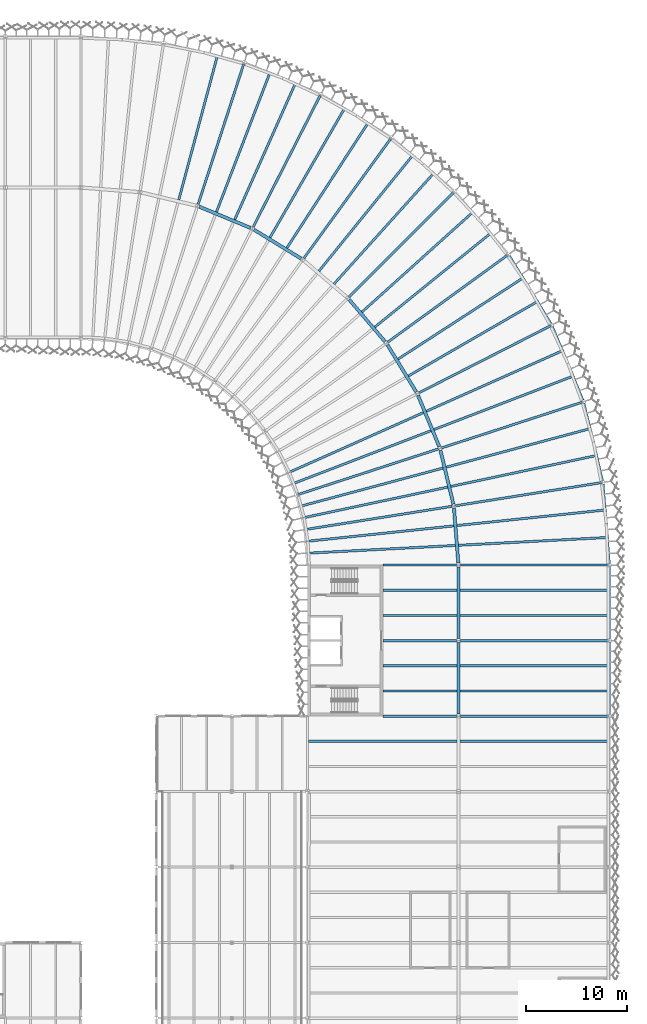
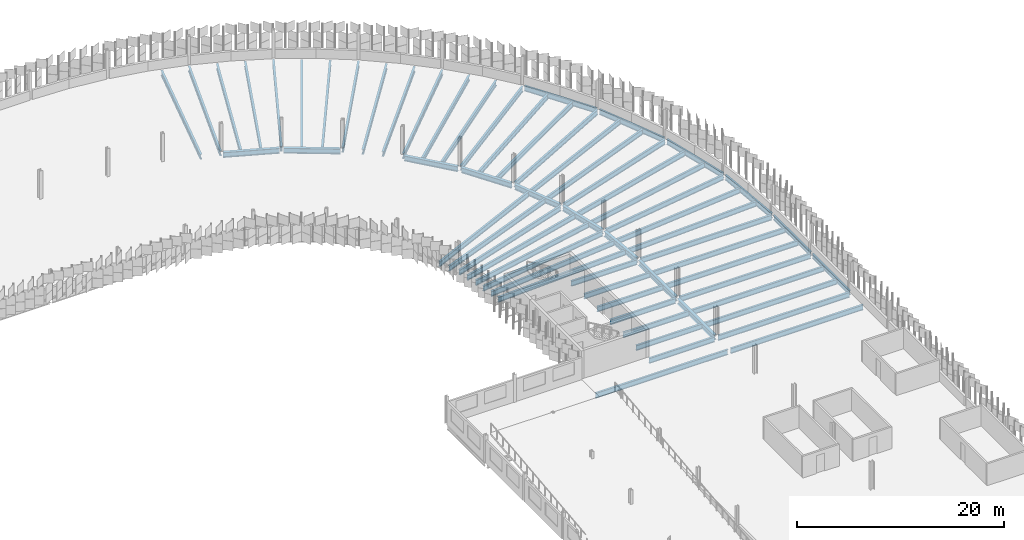
# One storey, part 38 of 198: 64 beams.
"""IFC4 building model written with IfcOpenShell, lengths in metres."""

import ifcopenshell
import ifcopenshell.guid

model = None  # the IFC model being written
_history = None  # IfcOwnerHistory: only IFC2X3 demands one
_inside = {}  # id of a spatial element -> (the spatial element, [elements in it])
_under = {}  # id of a project, library or spatial element -> (it, [spatial elements below it])
_declared = {}  # id of a project -> (the project, [libraries it declares])
_typed = {}  # id of a type object -> (the type object, [elements of that type])
_made_of = {}  # id of a material, layer set ... -> (it, [elements and type objects made of it])


def new_model(schema):
    """Start an empty IFC model of exactly this schema.

    Asked for "IFC4X3", IfcOpenShell would pick the latest addendum, in which some entities
    have other attributes; the version numbers below select the first issue.
    IFC2X3 requires an IfcOwnerHistory on every rooted entity: one is made here for all.
    """
    global model, _history
    if schema == "IFC4X3":
        model = ifcopenshell.file(schema_version=(4, 3, 0, 0))
    else:
        model = ifcopenshell.file(schema=schema)
    _inside.clear()
    _under.clear()
    _declared.clear()
    _typed.clear()
    _made_of.clear()
    _history = None
    if model.schema == "IFC2X3":
        org = make("IfcOrganization", Name="unknown")
        user = make(
            "IfcPersonAndOrganization",
            ThePerson=make("IfcPerson", FamilyName="unknown"),
            TheOrganization=org,
        )
        app = make(
            "IfcApplication",
            ApplicationDeveloper=org,
            Version="unknown",
            ApplicationFullName="unknown",
            ApplicationIdentifier="unknown",
        )
        _history = make(
            "IfcOwnerHistory",
            OwningUser=user,
            OwningApplication=app,
            ChangeAction="ADDED",
            CreationDate=0,
        )
    return model


def make(cls, **values):
    """One entity of the class cls with the attributes given. An attribute that is None is left unset."""
    return model.create_entity(
        cls, **{name: value for name, value in values.items() if value is not None}
    )


def rooted(cls, **values):
    """An entity with a GlobalId (a new one), such as an element, a storey or a relation."""
    return make(cls, GlobalId=ifcopenshell.guid.new(), OwnerHistory=_history, **values)


def si_unit(unit_type, name, prefix=None):
    """IfcSIUnit, for example si_unit("LENGTHUNIT", "METRE", prefix="MILLI")."""
    return make("IfcSIUnit", UnitType=unit_type, Prefix=prefix, Name=name)


def assignment(units):
    """IfcUnitAssignment: the units of a project."""
    return None if units is None else make("IfcUnitAssignment", Units=units)


def point(xyz):
    """IfcCartesianPoint."""
    return None if xyz is None else make("IfcCartesianPoint", Coordinates=xyz)


def direction(xyz):
    """IfcDirection."""
    return None if xyz is None else make("IfcDirection", DirectionRatios=xyz)


def frame(location, z_axis=None, x_axis=None):
    """IfcAxis2Placement3D, a coordinate frame: its origin and axes. An axis left out is left unset."""
    return make(
        "IfcAxis2Placement3D",
        Location=point(location),
        Axis=direction(z_axis),
        RefDirection=direction(x_axis),
    )


def frame_2d(location, x_axis=None):
    """IfcAxis2Placement2D, a coordinate frame in the plane: its origin and x axis."""
    return make(
        "IfcAxis2Placement2D", Location=point(location), RefDirection=direction(x_axis)
    )


def origin():
    """The frame at (0, 0, 0) with its axes left unset."""
    return frame((0.0, 0.0, 0.0))


def origin_2d():
    """The frame at (0, 0) in the plane with its x axis left unset."""
    return frame_2d((0.0, 0.0))


def place(relative_to, where):
    """IfcLocalPlacement: puts the frame where relative to a parent placement (None: the world)."""
    return make(
        "IfcLocalPlacement", PlacementRelTo=relative_to, RelativePlacement=where
    )


def context(
    kind, dimensions, precision=None, world=None, true_north=None, identifier=None
):
    """IfcGeometricRepresentationContext, for example the 3D "Model" context."""
    return make(
        "IfcGeometricRepresentationContext",
        ContextIdentifier=identifier,
        ContextType=kind,
        CoordinateSpaceDimension=dimensions,
        Precision=precision,
        WorldCoordinateSystem=world,
        TrueNorth=true_north,
    )


def subcontext(parent, identifier, kind, view, scale=None):
    """IfcGeometricRepresentationSubContext, for example "Body" below "Model"."""
    return make(
        "IfcGeometricRepresentationSubContext",
        ContextIdentifier=identifier,
        ContextType=kind,
        ParentContext=parent,
        TargetScale=scale,
        TargetView=view,
    )


def project(units=None, contexts=None):
    """IfcProject with its units and contexts."""
    return rooted(
        "IfcProject",
        Name="project",
        RepresentationContexts=contexts,
        UnitsInContext=assignment(units),
    )


def spatial(cls, under=None, at=None, **own):
    """A site, building, storey or space (cls), placed at a placement, below another one or the project."""
    s = rooted(cls, ObjectPlacement=at, **own)
    if under is not None:
        _under.setdefault(under.id(), (under, []))[1].append(s)
    return s


def profile(cls, at=None, kind="AREA", **sizes):
    """A parametric profile (cls). Its sizes go by their IFC names, for example OverallWidth=200.0."""
    return make(cls, ProfileType=kind, Position=at, **sizes)


def i_section(**sizes):
    """IfcIShapeProfileDef."""
    return profile("IfcIShapeProfileDef", **sizes)


def extrude(swept, where, along, depth):
    """IfcExtrudedAreaSolid: the profile swept, set in the frame where, extruded along a direction by depth."""
    return make(
        "IfcExtrudedAreaSolid",
        SweptArea=swept,
        Position=where,
        ExtrudedDirection=direction(along),
        Depth=depth,
    )


def shape(context_of_items, identifier, shape_type, items):
    """IfcShapeRepresentation: the items that make up one representation, for example the "Body"."""
    return make(
        "IfcShapeRepresentation",
        ContextOfItems=context_of_items,
        RepresentationIdentifier=identifier,
        RepresentationType=shape_type,
        Items=items,
    )


def material(Name=None, Category=None):
    """IfcMaterial."""
    return make("IfcMaterial", Name=Name, Category=Category)


def material_profile(
    of_material, cross_section, Name=None, Category=None, Priority=None
):
    """IfcMaterialProfile: a cross section and its material."""
    return make(
        "IfcMaterialProfile",
        Name=Name,
        Material=of_material,
        Profile=cross_section,
        Priority=Priority,
        Category=Category,
    )


def profile_set(profiles, Name=None, composite=None):
    """IfcMaterialProfileSet."""
    return make(
        "IfcMaterialProfileSet",
        Name=Name,
        MaterialProfiles=profiles,
        CompositeProfile=composite,
    )


def made_of(thing, what):
    """Note that an element or type object is made of a material, layer set ...; save() writes the relation."""
    if what is not None:
        _made_of.setdefault(what.id(), (what, []))[1].append(thing)
    return thing


def type_object(cls, material=None, **own):
    """A type object (cls), such as IfcWallType, which elements share."""
    return made_of(rooted(cls, **own), material)


def element(
    cls,
    number,
    at=None,
    inside=None,
    cuts=None,
    type_object=None,
    material=None,
    context=None,
    identifier="Body",
    shape_type=None,
    held_by="IfcProductDefinitionShape",
    body=None,
    shapes=None,
    **own,
):
    """One element of the class cls, such as IfcWall. Its Tag is "e" and its number.

    at: its placement. inside: the storey or other place that contains it. cuts: it is an
    opening in that element (IfcRelVoidsElement). A single representation is given by context,
    identifier, shape_type and body (its items); several are given by shapes. held_by: the class
    of the entity that holds the representations. save() writes the other relations.
    """
    e = rooted(cls, Tag="e%d" % number, ObjectPlacement=at, **own)
    if body is not None:
        shapes = [shape(context, identifier, shape_type, body)]
    if shapes is not None:
        e.Representation = make(held_by, Representations=shapes)
    if inside is not None:
        _inside.setdefault(inside.id(), (inside, []))[1].append(e)
    if cuts is not None:
        rooted(
            "IfcRelVoidsElement", RelatingBuildingElement=cuts, RelatedOpeningElement=e
        )
    if type_object is not None:
        _typed.setdefault(type_object.id(), (type_object, []))[1].append(e)
    return made_of(e, material)


def aggregate(whole, parts):
    """IfcRelAggregates: a whole, such as a stair, and the parts it consists of."""
    return rooted("IfcRelAggregates", RelatingObject=whole, RelatedObjects=parts)


def save(model, path):
    """Write the relations noted so far, then the file.

    IfcRelAggregates (storeys below a building ...), IfcRelContainedInSpatialStructure (elements
    in a storey), IfcRelDefinesByType, IfcRelAssociatesMaterial and IfcRelDeclares: one each for
    every whole, place, type object, material and project.
    """
    for whole, parts in _under.values():
        aggregate(whole, parts)
    for where, things in _inside.values():
        rooted(
            "IfcRelContainedInSpatialStructure",
            RelatedElements=things,
            RelatingStructure=where,
        )
    for kind, things in _typed.values():
        rooted("IfcRelDefinesByType", RelatedObjects=things, RelatingType=kind)
    for what, things in _made_of.values():
        rooted("IfcRelAssociatesMaterial", RelatedObjects=things, RelatingMaterial=what)
    for by, libraries in _declared.values():
        rooted("IfcRelDeclares", RelatingContext=by, RelatedDefinitions=libraries)
    model.write(path)


model = new_model("IFC4")

# Units and contexts
model_context = context("Model", 3, precision=1e-05, world=origin(), true_north=direction((0.0, 1.0)))
body_context = subcontext(model_context, "Body", "Model", "MODEL_VIEW")
ifc_project = project(units=[si_unit("LENGTHUNIT", "METRE"), si_unit("AREAUNIT", "SQUARE_METRE"), si_unit("VOLUMEUNIT", "CUBIC_METRE"), si_unit("PLANEANGLEUNIT", "RADIAN"), si_unit("MASSUNIT", "GRAM", prefix="KILO")], contexts=[model_context])

# Site, building, storey
site_placement = place(None, origin())
site = spatial("IfcSite", under=ifc_project, at=site_placement, CompositionType="ELEMENT")
building_placement = place(site_placement, origin())
building = spatial("IfcBuilding", under=site, at=building_placement, Name="Parallax Yard Mobility Hub", CompositionType="ELEMENT")
storey_placement = place(building_placement, frame((0.0, 0.0, 6.60009765625)))
storey = spatial("IfcBuildingStorey", under=building, at=storey_placement, Name="L02", CompositionType="ELEMENT", Elevation=6.60009765625)

# Beams
ifc_material = material(Name="Steel ASTM A992", Category="steel")
ifc_material_profile_1 = material_profile(ifc_material, i_section(OverallWidth=0.208984375, OverallDepth=0.532958984375, WebThickness=0.01025390625, FlangeThickness=0.015625, FilletRadius=0.0126953125, at=origin_2d()), Name="W530x92")
ifc_profile_set_1 = profile_set([ifc_material_profile_1], Name="Steel ASTM A992")
beam_type_1 = type_object("IfcBeamType", Name="W530x92 edge beam", PredefinedType="SPANDREL", material=ifc_profile_set_1)
for number, where, z_axis, x_axis, name in (
    (1, (225.0, 75.152587890625, -0.406494140625), (0.0, 1.0, 0.0), (-1.0, 0.0, 0.0), "Edge beam SB5 level L02, line 31 of ramped parking decks, span 7"),
    (2, (225.0, 82.652587890625, -0.406494140625), (0.0, 1.0, 0.0), (-1.0, 0.0, 0.0), "Edge beam SB5 level L02, line 31 of ramped parking decks, span 8"),
):
    element("IfcBeam", number, at=place(storey_placement, frame(where, z_axis=z_axis, x_axis=x_axis)), inside=storey, type_object=beam_type_1, Name=name, PredefinedType="SPANDREL", context=body_context, shape_type="SweptSolid", body=[
        extrude(i_section(OverallWidth=0.208984375, OverallDepth=0.532958984375, WebThickness=0.01025390625, FlangeThickness=0.015625, FilletRadius=0.0126953125, at=origin_2d()), origin(), (0.0, 0.0, 1.0), 7.19482421875),
    ])
ifc_material_profile_2 = material_profile(ifc_material, i_section(OverallWidth=0.22802734375, OverallDepth=0.60205078125, WebThickness=0.010498046875, FlangeThickness=0.014892578125, FilletRadius=0.0126953125, at=origin_2d()), Name="W610x101")
ifc_profile_set_2 = profile_set([ifc_material_profile_2], Name="Steel ASTM A992")
beam_type_2 = type_object("IfcBeamType", Name="W610x101 secondary beam", PredefinedType="JOIST", material=ifc_profile_set_2)
beam_1_placement = place(storey_placement, frame((202.5, 77.5, -0.441162109375), z_axis=(1.0, 0.0, 0.0), x_axis=(0.0, 1.0, 0.0)))
element("IfcBeam", 3, at=beam_1_placement, inside=storey, type_object=beam_type_2, Name="Secondary beam B3 level L02, 2.5 m north of line L of ramped parking decks, span 1", PredefinedType="JOIST", context=body_context, shape_type="SweptSolid", body=[
    extrude(i_section(OverallWidth=0.22802734375, OverallDepth=0.60205078125, WebThickness=0.010498046875, FlangeThickness=0.014892578125, FilletRadius=0.0126953125, at=origin_2d()), origin(), (0.0, 0.0, 1.0), 7.33740234375),
])
beam_2_placement = place(storey_placement, frame((210.16259765625, 77.5, -0.441162109375), z_axis=(1.0, 0.0, 0.0), x_axis=(0.0, 1.0, 0.0)))
element("IfcBeam", 4, at=beam_2_placement, inside=storey, type_object=beam_type_2, Name="Secondary beam B3 level L02, 2.5 m north of line L of ramped parking decks, span 2", PredefinedType="JOIST", context=body_context, shape_type="SweptSolid", body=[
    extrude(i_section(OverallWidth=0.22802734375, OverallDepth=0.60205078125, WebThickness=0.010498046875, FlangeThickness=0.014892578125, FilletRadius=0.0126953125, at=origin_2d()), origin(), (0.0, 0.0, 1.0), 14.73291015625),
])
beam_3_placement = place(storey_placement, frame((202.5, 85.0, -0.441162109375), z_axis=(1.0, 0.0, 0.0), x_axis=(0.0, 1.0, 0.0)))
element("IfcBeam", 5, at=beam_3_placement, inside=storey, type_object=beam_type_2, Name="Secondary beam B3 level L02, 2.5 m north of line M of ramped parking decks, span 1", PredefinedType="JOIST", context=body_context, shape_type="SweptSolid", body=[
    extrude(i_section(OverallWidth=0.22802734375, OverallDepth=0.60205078125, WebThickness=0.010498046875, FlangeThickness=0.014892578125, FilletRadius=0.0126953125, at=origin_2d()), origin(), (0.0, 0.0, 1.0), 7.33740234375),
])
for number, where, z_axis, x_axis, name in (
    (6, (210.16259765625, 85.0, -0.441162109375), (1.0, 0.0, 0.0), (0.0, 1.0, 0.0), "Secondary beam B3 level L02, 2.5 m north of line M of ramped parking decks, span 2"),
    (7, (195.1044921875, 72.5, -0.441162109375), (1.0, 0.0, 0.0), (0.0, 1.0, 0.0), "Secondary beam B3 level L02, 5 m north of line K of ramped parking decks, span 1"),
    (8, (210.16259765625, 72.5, -0.441162109375), (1.0, 0.0, 0.0), (0.0, 1.0, 0.0), "Secondary beam B3 level L02, 5 m north of line K of ramped parking decks, span 2"),
):
    element("IfcBeam", number, at=place(storey_placement, frame(where, z_axis=z_axis, x_axis=x_axis)), inside=storey, type_object=beam_type_2, Name=name, PredefinedType="JOIST", context=body_context, shape_type="SweptSolid", body=[
        extrude(i_section(OverallWidth=0.22802734375, OverallDepth=0.60205078125, WebThickness=0.010498046875, FlangeThickness=0.014892578125, FilletRadius=0.0126953125, at=origin_2d()), origin(), (0.0, 0.0, 1.0), 14.73291015625),
    ])
beam_4_placement = place(storey_placement, frame((202.5, 80.0, -0.441162109375), z_axis=(1.0, 0.0, 0.0), x_axis=(0.0, 1.0, 0.0)))
element("IfcBeam", 9, at=beam_4_placement, inside=storey, type_object=beam_type_2, Name="Secondary beam B3 level L02, 5 m north of line L of ramped parking decks, span 1", PredefinedType="JOIST", context=body_context, shape_type="SweptSolid", body=[
    extrude(i_section(OverallWidth=0.22802734375, OverallDepth=0.60205078125, WebThickness=0.010498046875, FlangeThickness=0.014892578125, FilletRadius=0.0126953125, at=origin_2d()), origin(), (0.0, 0.0, 1.0), 7.33740234375),
])
beam_5_placement = place(storey_placement, frame((210.16259765625, 80.0, -0.441162109375), z_axis=(1.0, 0.0, 0.0), x_axis=(0.0, 1.0, 0.0)))
element("IfcBeam", 10, at=beam_5_placement, inside=storey, type_object=beam_type_2, Name="Secondary beam B3 level L02, 5 m north of line L of ramped parking decks, span 2", PredefinedType="JOIST", context=body_context, shape_type="SweptSolid", body=[
    extrude(i_section(OverallWidth=0.22802734375, OverallDepth=0.60205078125, WebThickness=0.010498046875, FlangeThickness=0.014892578125, FilletRadius=0.0126953125, at=origin_2d()), origin(), (0.0, 0.0, 1.0), 14.73291015625),
])
beam_6_placement = place(storey_placement, frame((202.5, 87.5, -0.441162109375), z_axis=(1.0, 0.0, 0.0), x_axis=(0.0, 1.0, 0.0)))
element("IfcBeam", 11, at=beam_6_placement, inside=storey, type_object=beam_type_2, Name="Secondary beam B3 level L02, 5 m north of line M of ramped parking decks, span 1", PredefinedType="JOIST", context=body_context, shape_type="SweptSolid", body=[
    extrude(i_section(OverallWidth=0.22802734375, OverallDepth=0.60205078125, WebThickness=0.010498046875, FlangeThickness=0.014892578125, FilletRadius=0.0126953125, at=origin_2d()), origin(), (0.0, 0.0, 1.0), 7.33740234375),
])
beam_7_placement = place(storey_placement, frame((210.16259765625, 87.5, -0.441162109375), z_axis=(1.0, 0.0, 0.0), x_axis=(0.0, 1.0, 0.0)))
element("IfcBeam", 12, at=beam_7_placement, inside=storey, type_object=beam_type_2, Name="Secondary beam B3 level L02, 5 m north of line M of ramped parking decks, span 2", PredefinedType="JOIST", context=body_context, shape_type="SweptSolid", body=[
    extrude(i_section(OverallWidth=0.22802734375, OverallDepth=0.60205078125, WebThickness=0.010498046875, FlangeThickness=0.014892578125, FilletRadius=0.0126953125, at=origin_2d()), origin(), (0.0, 0.0, 1.0), 14.73291015625),
])
beam_8_placement = place(storey_placement, frame((182.22119140625, 126.27978515625, -0.441162109375), z_axis=(0.258824743814, 0.965924299306, 0.0), x_axis=(-0.965924299306, 0.258824743814, 0.0)))
element("IfcBeam", 13, at=beam_8_placement, inside=storey, type_object=beam_type_2, Name="Secondary beam B3 level L02, radial at 15 degrees of ramped parking decks, span 2", PredefinedType="JOIST", context=body_context, shape_type="SweptSolid", body=[
    extrude(i_section(OverallWidth=0.22802734375, OverallDepth=0.60205078125, WebThickness=0.010498046875, FlangeThickness=0.014892578125, FilletRadius=0.0126953125, at=origin_2d()), origin(), (0.0, 0.0, 1.0), 14.681884765625),
])
beam_9_placement = place(storey_placement, frame((185.960205078125, 125.065185546875, -0.441162109375), z_axis=(0.358369476341, 0.933579840414, 0.0), x_axis=(-0.933579840414, 0.358369476341, 0.0)))
element("IfcBeam", 14, at=beam_9_placement, inside=storey, type_object=beam_type_2, Name="Secondary beam B3 level L02, radial at 21 degrees of ramped parking decks, span 2", PredefinedType="JOIST", context=body_context, shape_type="SweptSolid", body=[
    extrude(i_section(OverallWidth=0.22802734375, OverallDepth=0.60205078125, WebThickness=0.010498046875, FlangeThickness=0.014892578125, FilletRadius=0.0126953125, at=origin_2d()), origin(), (0.0, 0.0, 1.0), 14.681640625),
])
for number, where, z_axis, x_axis, name in (
    (15, (187.77685546875, 124.3125, -0.441162109375), (0.406737010648, 0.913545293989, 0.0), (-0.913545293989, 0.406737010648, 0.0), "Secondary beam B3 level L02, radial at 24 degrees of ramped parking decks, span 2"),
    (16, (191.27978515625, 122.527587890625, -0.441162109375), (0.499994986164, 0.866028298505, 0.0), (-0.866028298505, 0.499994986164, 0.0), "Secondary beam B3 level L02, radial at 30 degrees of ramped parking decks, span 2"),
    (17, (192.95654296875, 121.500244140625, -0.441162109375), (0.544640532551, 0.838669595432, 0.0), (-0.838669595432, 0.544640532551, 0.0), "Secondary beam B3 level L02, radial at 33 degrees of ramped parking decks, span 2"),
    (18, (196.13720703125, 119.189453125, -0.441162109375), (0.629317812071, 0.777148049865, 0.0), (-0.777148049865, 0.629317812071, 0.0), "Secondary beam B3 level L02, radial at 39 degrees of ramped parking decks, span 2"),
):
    element("IfcBeam", number, at=place(storey_placement, frame(where, z_axis=z_axis, x_axis=x_axis)), inside=storey, type_object=beam_type_2, Name=name, PredefinedType="JOIST", context=body_context, shape_type="SweptSolid", body=[
        extrude(i_section(OverallWidth=0.22802734375, OverallDepth=0.60205078125, WebThickness=0.010498046875, FlangeThickness=0.014892578125, FilletRadius=0.0126953125, at=origin_2d()), origin(), (0.0, 0.0, 1.0), 14.681884765625),
    ])
for number, where, z_axis, x_axis, name in (
    (19, (197.63232421875, 117.912353515625, -0.441162109375), (0.669130085287, 0.743145294652, 0.0), (-0.743145294652, 0.669130085287, 0.0), "Secondary beam B3 level L02, radial at 42 degrees of ramped parking decks, span 2"),
    (20, (200.412353515625, 115.13232421875, -0.441162109375), (0.743145294652, 0.669130085287, 0.0), (-0.669130085287, 0.743145294652, 0.0), "Secondary beam B3 level L02, radial at 48 degrees of ramped parking decks, span 2"),
):
    element("IfcBeam", number, at=place(storey_placement, frame(where, z_axis=z_axis, x_axis=x_axis)), inside=storey, type_object=beam_type_2, Name=name, PredefinedType="JOIST", context=body_context, shape_type="SweptSolid", body=[
        extrude(i_section(OverallWidth=0.22802734375, OverallDepth=0.60205078125, WebThickness=0.010498046875, FlangeThickness=0.014892578125, FilletRadius=0.0126953125, at=origin_2d()), origin(), (0.0, 0.0, 1.0), 14.681640625),
    ])
for number, where, z_axis, x_axis, name in (
    (21, (201.689453125, 113.63720703125, -0.441162109375), (0.777148049865, 0.629317812071, 0.0), (-0.629317812071, 0.777148049865, 0.0), "Secondary beam B3 level L02, radial at 51 degrees of ramped parking decks, span 2"),
    (22, (204.000244140625, 110.45654296875, -0.441162109375), (0.838669595432, 0.544640532551, 0.0), (-0.544640532551, 0.838669595432, 0.0), "Secondary beam B3 level L02, radial at 57 degrees of ramped parking decks, span 2"),
    (23, (205.027587890625, 108.77978515625, -0.441162109375), (0.866028298505, 0.499994986164, 0.0), (-0.499994986164, 0.866028298505, 0.0), "Secondary beam B3 level L02, radial at 60 degrees of ramped parking decks, span 2"),
):
    element("IfcBeam", number, at=place(storey_placement, frame(where, z_axis=z_axis, x_axis=x_axis)), inside=storey, type_object=beam_type_2, Name=name, PredefinedType="JOIST", context=body_context, shape_type="SweptSolid", body=[
        extrude(i_section(OverallWidth=0.22802734375, OverallDepth=0.60205078125, WebThickness=0.010498046875, FlangeThickness=0.014892578125, FilletRadius=0.0126953125, at=origin_2d()), origin(), (0.0, 0.0, 1.0), 14.681884765625),
    ])
beam_10_placement = place(storey_placement, frame((193.10302734375, 99.173095703125, -0.441162109375), z_axis=(0.913542542964, 0.406743189488, 0.0), x_axis=(-0.406743189488, 0.913542542964, 0.0)))
element("IfcBeam", 24, at=beam_10_placement, inside=storey, type_object=beam_type_2, Name="Secondary beam B3 level L02, radial at 66 degrees of ramped parking decks, span 1", PredefinedType="JOIST", context=body_context, shape_type="SweptSolid", body=[
    extrude(i_section(OverallWidth=0.22802734375, OverallDepth=0.60205078125, WebThickness=0.010498046875, FlangeThickness=0.014892578125, FilletRadius=0.0126953125, at=origin_2d()), origin(), (0.0, 0.0, 1.0), 14.681640625),
])
beam_11_placement = place(storey_placement, frame((206.8125, 105.27685546875, -0.441162109375), z_axis=(0.913545293989, 0.406737010648, 0.0), x_axis=(-0.406737010648, 0.913545293989, 0.0)))
element("IfcBeam", 25, at=beam_11_placement, inside=storey, type_object=beam_type_2, Name="Secondary beam B3 level L02, radial at 66 degrees of ramped parking decks, span 2", PredefinedType="JOIST", context=body_context, shape_type="SweptSolid", body=[
    extrude(i_section(OverallWidth=0.22802734375, OverallDepth=0.60205078125, WebThickness=0.010498046875, FlangeThickness=0.014892578125, FilletRadius=0.0126953125, at=origin_2d()), origin(), (0.0, 0.0, 1.0), 14.681884765625),
])
for number, where, z_axis, x_axis, name in (
    (26, (193.554931640625, 98.082275390625, -0.441162109375), (0.933585403808, 0.358354982937, 0.0), (-0.358354982937, 0.933585403808, 0.0), "Secondary beam B3 level L02, radial at 69 degrees of ramped parking decks, span 1"),
    (27, (207.565185546875, 103.460205078125, -0.441162109375), (0.933579840414, 0.358369476341, 0.0), (-0.358369476341, 0.933579840414, 0.0), "Secondary beam B3 level L02, radial at 69 degrees of ramped parking decks, span 2"),
    (28, (194.284423828125, 95.837158203125, -0.441162109375), (0.965927342589, 0.258813386129, 0.0), (-0.258813386129, 0.965927342589, 0.0), "Secondary beam B3 level L02, radial at 75 degrees of ramped parking decks, span 1"),
):
    element("IfcBeam", number, at=place(storey_placement, frame(where, z_axis=z_axis, x_axis=x_axis)), inside=storey, type_object=beam_type_2, Name=name, PredefinedType="JOIST", context=body_context, shape_type="SweptSolid", body=[
        extrude(i_section(OverallWidth=0.22802734375, OverallDepth=0.60205078125, WebThickness=0.010498046875, FlangeThickness=0.014892578125, FilletRadius=0.0126953125, at=origin_2d()), origin(), (0.0, 0.0, 1.0), 14.681640625),
    ])
beam_12_placement = place(storey_placement, frame((208.77978515625, 99.72119140625, -0.441162109375), z_axis=(0.965924299306, 0.258824743814, 0.0), x_axis=(-0.258824743814, 0.965924299306, 0.0)))
element("IfcBeam", 29, at=beam_12_placement, inside=storey, type_object=beam_type_2, Name="Secondary beam B3 level L02, radial at 75 degrees of ramped parking decks, span 2", PredefinedType="JOIST", context=body_context, shape_type="SweptSolid", body=[
    extrude(i_section(OverallWidth=0.22802734375, OverallDepth=0.60205078125, WebThickness=0.010498046875, FlangeThickness=0.014892578125, FilletRadius=0.0126953125, at=origin_2d()), origin(), (0.0, 0.0, 1.0), 14.681884765625),
])
beam_13_placement = place(storey_placement, frame((194.56005859375, 94.68896484375, -0.441162109375), z_axis=(0.978147607736, 0.207911657875, 0.0), x_axis=(-0.207911657875, 0.978147607736, 0.0)))
element("IfcBeam", 30, at=beam_13_placement, inside=storey, type_object=beam_type_2, Name="Secondary beam B3 level L02, radial at 78 degrees of ramped parking decks, span 1", PredefinedType="JOIST", context=body_context, shape_type="SweptSolid", body=[
    extrude(i_section(OverallWidth=0.22802734375, OverallDepth=0.60205078125, WebThickness=0.010498046875, FlangeThickness=0.014892578125, FilletRadius=0.0126953125, at=origin_2d()), origin(), (0.0, 0.0, 1.0), 14.681640625),
])
for number, where, z_axis, x_axis, name in (
    (31, (209.239013671875, 97.80908203125, -0.441162109375), (0.978148326542, 0.207908276129, 0.0), (-0.207908276129, 0.978148326542, 0.0), "Secondary beam B3 level L02, radial at 78 degrees of ramped parking decks, span 2"),
    (32, (194.92919921875, 92.357421875, -0.441162109375), (0.994522023464, 0.104527244507, 0.0), (-0.104527244507, 0.994522023464, 0.0), "Secondary beam B3 level L02, radial at 84 degrees of ramped parking decks, span 1"),
):
    element("IfcBeam", number, at=place(storey_placement, frame(where, z_axis=z_axis, x_axis=x_axis)), inside=storey, type_object=beam_type_2, Name=name, PredefinedType="JOIST", context=body_context, shape_type="SweptSolid", body=[
        extrude(i_section(OverallWidth=0.22802734375, OverallDepth=0.60205078125, WebThickness=0.010498046875, FlangeThickness=0.014892578125, FilletRadius=0.0126953125, at=origin_2d()), origin(), (0.0, 0.0, 1.0), 14.681884765625),
    ])
for number, where, z_axis, x_axis, name in (
    (33, (209.85400390625, 93.926025390625, -0.441162109375), (0.994521841777, 0.104528973154, 0.0), (-0.104528973154, 0.994521841777, 0.0), "Secondary beam B3 level L02, radial at 84 degrees of ramped parking decks, span 2"),
    (34, (195.02197265625, 91.180419921875, -0.441162109375), (0.99862979267, 0.052331034694, 0.0), (-0.052331034694, 0.99862979267, 0.0), "Secondary beam B3 level L02, radial at 87 degrees of ramped parking decks, span 1"),
    (35, (210.00830078125, 91.9658203125, -0.441162109375), (0.99862979267, 0.052331034694, 0.0), (-0.052331034694, 0.99862979267, 0.0), "Secondary beam B3 level L02, radial at 87 degrees of ramped parking decks, span 2"),
):
    element("IfcBeam", number, at=place(storey_placement, frame(where, z_axis=z_axis, x_axis=x_axis)), inside=storey, type_object=beam_type_2, Name=name, PredefinedType="JOIST", context=body_context, shape_type="SweptSolid", body=[
        extrude(i_section(OverallWidth=0.22802734375, OverallDepth=0.60205078125, WebThickness=0.010498046875, FlangeThickness=0.014892578125, FilletRadius=0.0126953125, at=origin_2d()), origin(), (0.0, 0.0, 1.0), 14.681640625),
    ])
ifc_material_profile_3 = material_profile(ifc_material, i_section(OverallWidth=0.22900390625, OverallDepth=0.612060546875, WebThickness=0.011962890625, FlangeThickness=0.01953125, FilletRadius=0.0126953125, at=origin_2d()), Name="W610x125")
ifc_profile_set_3 = profile_set([ifc_material_profile_3], Name="Steel ASTM A992")
beam_type_3 = type_object("IfcBeamType", Name="W610x125 edge beam", PredefinedType="SPANDREL", material=ifc_profile_set_3)
for number, where, z_axis, x_axis, name in (
    (36, (215.05322265625, 120.728271484375, -0.446044921875), (0.522511537027, -0.852632214776, 0.0), (0.852632214776, 0.522511537027, 0.0), "Edge beam SB7 level L02, ring RC of ramped parking decks, span 7"),
    (37, (219.336181640625, 113.693115234375, -0.446044921875), (0.38272419086, -0.923862648737, 0.0), (0.923862648737, 0.38272419086, 0.0), "Edge beam SB7 level L02, ring RC of ramped parking decks, span 8"),
    (38, (222.46630859375, 106.07470703125, -0.446044921875), (0.233421843416, -0.972375566855, 0.0), (0.972375566855, 0.233421843416, 0.0), "Edge beam SB7 level L02, ring RC of ramped parking decks, span 9"),
):
    element("IfcBeam", number, at=place(storey_placement, frame(where, z_axis=z_axis, x_axis=x_axis)), inside=storey, type_object=beam_type_3, Name=name, PredefinedType="SPANDREL", context=body_context, shape_type="SweptSolid", body=[
        extrude(i_section(OverallWidth=0.22900390625, OverallDepth=0.612060546875, WebThickness=0.011962890625, FlangeThickness=0.01953125, FilletRadius=0.0126953125, at=origin_2d()), origin(), (0.0, 0.0, 1.0), 7.932373046875),
    ])
beam_14_placement = place(storey_placement, frame((224.365478515625, 98.060302734375, -0.446044921875), z_axis=(0.07848514886, -0.996915282965, 0.0), x_axis=(0.996915282965, 0.07848514886, 0.0)))
element("IfcBeam", 39, at=beam_14_placement, inside=storey, type_object=beam_type_3, Name="Edge beam SB7 level L02, ring RC of ramped parking decks, span 10", PredefinedType="SPANDREL", context=body_context, shape_type="SweptSolid", body=[
    extrude(i_section(OverallWidth=0.22900390625, OverallDepth=0.612060546875, WebThickness=0.011962890625, FlangeThickness=0.01953125, FilletRadius=0.0126953125, at=origin_2d()), origin(), (0.0, 0.0, 1.0), 7.93212890625),
])
ifc_material_profile_4 = material_profile(ifc_material, i_section(OverallWidth=0.22900390625, OverallDepth=0.612060546875, WebThickness=0.011962890625, FlangeThickness=0.01953125, FilletRadius=0.0126953125, at=origin_2d()), Name="W610x125")
ifc_profile_set_4 = profile_set([ifc_material_profile_4], Name="Steel ASTM A992")
beam_type_4 = type_object("IfcBeamType", Name="W610x125 girder", PredefinedType="BEAM", material=ifc_profile_set_4)
beam_15_placement = place(storey_placement, frame((202.5, 75.0, -0.446044921875), z_axis=(1.0, 0.0, 0.0), x_axis=(0.0, 1.0, 0.0)))
element("IfcBeam", 40, at=beam_15_placement, inside=storey, type_object=beam_type_4, Name="Girder G3 level L02, line L of ramped parking decks, span 1", PredefinedType="BEAM", context=body_context, shape_type="SweptSolid", body=[
    extrude(i_section(OverallWidth=0.22900390625, OverallDepth=0.612060546875, WebThickness=0.011962890625, FlangeThickness=0.01953125, FilletRadius=0.0126953125, at=origin_2d()), origin(), (0.0, 0.0, 1.0), 7.3095703125),
])
beam_16_placement = place(storey_placement, frame((210.1904296875, 75.0, -0.446044921875), z_axis=(1.0, 0.0, 0.0), x_axis=(0.0, 1.0, 0.0)))
element("IfcBeam", 41, at=beam_16_placement, inside=storey, type_object=beam_type_4, Name="Girder G3 level L02, line L of ramped parking decks, span 2", PredefinedType="BEAM", context=body_context, shape_type="SweptSolid", body=[
    extrude(i_section(OverallWidth=0.22900390625, OverallDepth=0.612060546875, WebThickness=0.011962890625, FlangeThickness=0.01953125, FilletRadius=0.0126953125, at=origin_2d()), origin(), (0.0, 0.0, 1.0), 14.653564453125),
])
beam_17_placement = place(storey_placement, frame((202.5, 82.5, -0.446044921875), z_axis=(1.0, 0.0, 0.0), x_axis=(0.0, 1.0, 0.0)))
element("IfcBeam", 42, at=beam_17_placement, inside=storey, type_object=beam_type_4, Name="Girder G3 level L02, line M of ramped parking decks, span 1", PredefinedType="BEAM", context=body_context, shape_type="SweptSolid", body=[
    extrude(i_section(OverallWidth=0.22900390625, OverallDepth=0.612060546875, WebThickness=0.011962890625, FlangeThickness=0.01953125, FilletRadius=0.0126953125, at=origin_2d()), origin(), (0.0, 0.0, 1.0), 7.3095703125),
])
beam_18_placement = place(storey_placement, frame((210.1904296875, 82.5, -0.446044921875), z_axis=(1.0, 0.0, 0.0), x_axis=(0.0, 1.0, 0.0)))
element("IfcBeam", 43, at=beam_18_placement, inside=storey, type_object=beam_type_4, Name="Girder G3 level L02, line M of ramped parking decks, span 2", PredefinedType="BEAM", context=body_context, shape_type="SweptSolid", body=[
    extrude(i_section(OverallWidth=0.22900390625, OverallDepth=0.612060546875, WebThickness=0.011962890625, FlangeThickness=0.01953125, FilletRadius=0.0126953125, at=origin_2d()), origin(), (0.0, 0.0, 1.0), 14.653564453125),
])
beam_19_placement = place(storey_placement, frame((202.5, 90.0, -0.446044921875), z_axis=(1.0, 0.0, 0.0), x_axis=(0.0, 1.0, 0.0)))
element("IfcBeam", 44, at=beam_19_placement, inside=storey, type_object=beam_type_4, Name="Girder G3 level L02, line N of ramped parking decks, span 1", PredefinedType="BEAM", context=body_context, shape_type="SweptSolid", body=[
    extrude(i_section(OverallWidth=0.22900390625, OverallDepth=0.612060546875, WebThickness=0.011962890625, FlangeThickness=0.01953125, FilletRadius=0.0126953125, at=origin_2d()), origin(), (0.0, 0.0, 1.0), 7.31201171875),
])
beam_20_placement = place(storey_placement, frame((210.18798828125, 90.0, -0.446044921875), z_axis=(1.0, 0.0, 0.0), x_axis=(0.0, 1.0, 0.0)))
element("IfcBeam", 45, at=beam_20_placement, inside=storey, type_object=beam_type_4, Name="Girder G3 level L02, line N of ramped parking decks, span 2", PredefinedType="BEAM", context=body_context, shape_type="SweptSolid", body=[
    extrude(i_section(OverallWidth=0.22900390625, OverallDepth=0.612060546875, WebThickness=0.011962890625, FlangeThickness=0.01953125, FilletRadius=0.0126953125, at=origin_2d()), origin(), (0.0, 0.0, 1.0), 14.656005859375),
])
beam_21_placement = place(storey_placement, frame((184.14501953125, 125.839599609375, -0.446044921875), z_axis=(0.309024314955, 0.951054137663, 0.0), x_axis=(-0.951054137663, 0.309024314955, 0.0)))
element("IfcBeam", 46, at=beam_21_placement, inside=storey, type_object=beam_type_4, Name="Girder G3 level L02, radial R2 of ramped parking decks, span 2", PredefinedType="BEAM", context=body_context, shape_type="SweptSolid", body=[
    extrude(i_section(OverallWidth=0.22900390625, OverallDepth=0.612060546875, WebThickness=0.011962890625, FlangeThickness=0.01953125, FilletRadius=0.0126953125, at=origin_2d()), origin(), (0.0, 0.0, 1.0), 14.659912109375),
])
beam_22_placement = place(storey_placement, frame((189.608154296875, 123.57666015625, -0.446044921875), z_axis=(0.453988647152, 0.891007468126, 0.0), x_axis=(-0.891007468126, 0.453988647152, 0.0)))
element("IfcBeam", 47, at=beam_22_placement, inside=storey, type_object=beam_type_4, Name="Girder G3 level L02, radial R3 of ramped parking decks, span 1", PredefinedType="BEAM", context=body_context, shape_type="SweptSolid", body=[
    extrude(i_section(OverallWidth=0.22900390625, OverallDepth=0.612060546875, WebThickness=0.011962890625, FlangeThickness=0.01953125, FilletRadius=0.0126953125, at=origin_2d()), origin(), (0.0, 0.0, 1.0), 14.66015625),
])
beam_23_placement = place(storey_placement, frame((194.650146484375, 120.487060546875, -0.446044921875), z_axis=(0.587788419062, 0.809014693572, 0.0), x_axis=(-0.809014693572, 0.587788419062, 0.0)))
element("IfcBeam", 48, at=beam_23_placement, inside=storey, type_object=beam_type_4, Name="Girder G3 level L02, radial R4 of ramped parking decks, span 2", PredefinedType="BEAM", context=body_context, shape_type="SweptSolid", body=[
    extrude(i_section(OverallWidth=0.22900390625, OverallDepth=0.612060546875, WebThickness=0.011962890625, FlangeThickness=0.01953125, FilletRadius=0.0126953125, at=origin_2d()), origin(), (0.0, 0.0, 1.0), 14.659912109375),
])
beam_24_placement = place(storey_placement, frame((199.146484375, 116.646484375, -0.446044921875), z_axis=(0.707106781187, 0.707106781187, 0.0), x_axis=(-0.707106781187, 0.707106781187, 0.0)))
element("IfcBeam", 49, at=beam_24_placement, inside=storey, type_object=beam_type_4, Name="Girder G3 level L02, radial R5 of ramped parking decks, span 1", PredefinedType="BEAM", context=body_context, shape_type="SweptSolid", body=[
    extrude(i_section(OverallWidth=0.22900390625, OverallDepth=0.612060546875, WebThickness=0.011962890625, FlangeThickness=0.01953125, FilletRadius=0.0126953125, at=origin_2d()), origin(), (0.0, 0.0, 1.0), 14.66015625),
])
beam_25_placement = place(storey_placement, frame((202.987060546875, 112.150146484375, -0.446044921875), z_axis=(0.809014693572, 0.587788419062, 0.0), x_axis=(-0.587788419062, 0.809014693572, 0.0)))
element("IfcBeam", 50, at=beam_25_placement, inside=storey, type_object=beam_type_4, Name="Girder G3 level L02, radial R6 of ramped parking decks, span 2", PredefinedType="BEAM", context=body_context, shape_type="SweptSolid", body=[
    extrude(i_section(OverallWidth=0.22900390625, OverallDepth=0.612060546875, WebThickness=0.011962890625, FlangeThickness=0.01953125, FilletRadius=0.0126953125, at=origin_2d()), origin(), (0.0, 0.0, 1.0), 14.659912109375),
])
beam_26_placement = place(storey_placement, frame((206.07666015625, 107.108154296875, -0.446044921875), z_axis=(0.891007468126, 0.453988647152, 0.0), x_axis=(-0.453988647152, 0.891007468126, 0.0)))
element("IfcBeam", 51, at=beam_26_placement, inside=storey, type_object=beam_type_4, Name="Girder G3 level L02, radial R7 of ramped parking decks, span 1", PredefinedType="BEAM", context=body_context, shape_type="SweptSolid", body=[
    extrude(i_section(OverallWidth=0.22900390625, OverallDepth=0.612060546875, WebThickness=0.011962890625, FlangeThickness=0.01953125, FilletRadius=0.0126953125, at=origin_2d()), origin(), (0.0, 0.0, 1.0), 14.66015625),
])
beam_27_placement = place(storey_placement, frame((194.07763671875, 97.010986328125, -0.446044921875), z_axis=(0.951056021124, 0.30901851835, 0.0), x_axis=(-0.30901851835, 0.951056021124, 0.0)))
element("IfcBeam", 52, at=beam_27_placement, inside=storey, type_object=beam_type_4, Name="Girder G3 level L02, radial R8 of ramped parking decks, span 1", PredefinedType="BEAM", context=body_context, shape_type="SweptSolid", body=[
    extrude(i_section(OverallWidth=0.22900390625, OverallDepth=0.612060546875, WebThickness=0.011962890625, FlangeThickness=0.01953125, FilletRadius=0.0126953125, at=origin_2d()), origin(), (0.0, 0.0, 1.0), 14.6279296875),
])
for number, where, z_axis, x_axis, name in (
    (53, (208.339599609375, 101.64501953125, -0.446044921875), (0.951054137663, 0.309024314955, 0.0), (-0.309024314955, 0.951054137663, 0.0), "Girder G3 level L02, radial R8 of ramped parking decks, span 2"),
    (54, (209.719970703125, 95.89501953125, -0.446044921875), (0.987686962365, 0.156443166596, 0.0), (-0.156443166596, 0.987686962365, 0.0), "Girder G3 level L02, radial R9 of ramped parking decks, span 1"),
):
    element("IfcBeam", number, at=place(storey_placement, frame(where, z_axis=z_axis, x_axis=x_axis)), inside=storey, type_object=beam_type_4, Name=name, PredefinedType="BEAM", context=body_context, shape_type="SweptSolid", body=[
        extrude(i_section(OverallWidth=0.22900390625, OverallDepth=0.612060546875, WebThickness=0.011962890625, FlangeThickness=0.01953125, FilletRadius=0.0126953125, at=origin_2d()), origin(), (0.0, 0.0, 1.0), 14.659912109375),
    ])
beam_28_placement = place(storey_placement, frame((194.722900390625, 93.519775390625, -0.446044921875), z_axis=(0.987689774843, 0.156425409286, 0.0), x_axis=(-0.156425409286, 0.987689774843, 0.0)))
element("IfcBeam", 55, at=beam_28_placement, inside=storey, type_object=beam_type_4, Name="Girder G3 level L02, radial R9 of ramped parking decks, span 2", PredefinedType="BEAM", context=body_context, shape_type="SweptSolid", body=[
    extrude(i_section(OverallWidth=0.22900390625, OverallDepth=0.612060546875, WebThickness=0.011962890625, FlangeThickness=0.01953125, FilletRadius=0.0126953125, at=origin_2d()), origin(), (0.0, 0.0, 1.0), 14.816162109375),
])
ifc_material_profile_5 = material_profile(ifc_material, i_section(OverallWidth=0.324951171875, OverallDepth=0.612060546875, WebThickness=0.0126953125, FlangeThickness=0.01904296875, FilletRadius=0.0126953125, at=origin_2d()), Name="W610x155")
ifc_profile_set_5 = profile_set([ifc_material_profile_5], Name="Steel ASTM A992")
beam_type_5 = type_object("IfcBeamType", Name="W610x155 longitudinal beam", PredefinedType="BEAM", material=ifc_profile_set_5)
beam_29_placement = place(storey_placement, frame((210.0, 75.197998046875, -0.446044921875), z_axis=(0.0, 1.0, 0.0), x_axis=(-1.0, 0.0, 0.0)))
element("IfcBeam", 56, at=beam_29_placement, inside=storey, type_object=beam_type_5, Name="Longitudinal beam SB8 level L02, line 29 of ramped parking decks, span 8", PredefinedType="BEAM", context=body_context, shape_type="SweptSolid", body=[
    extrude(i_section(OverallWidth=0.324951171875, OverallDepth=0.612060546875, WebThickness=0.0126953125, FlangeThickness=0.01904296875, FilletRadius=0.0126953125, at=origin_2d()), origin(), (0.0, 0.0, 1.0), 7.10400390625),
])
beam_30_placement = place(storey_placement, frame((210.0, 82.697998046875, -0.446044921875), z_axis=(0.0, 1.0, 0.0), x_axis=(-1.0, 0.0, 0.0)))
element("IfcBeam", 57, at=beam_30_placement, inside=storey, type_object=beam_type_5, Name="Longitudinal beam SB8 level L02, line 29 of ramped parking decks, span 9", PredefinedType="BEAM", context=body_context, shape_type="SweptSolid", body=[
    extrude(i_section(OverallWidth=0.324951171875, OverallDepth=0.612060546875, WebThickness=0.0126953125, FlangeThickness=0.01904296875, FilletRadius=0.0126953125, at=origin_2d()), origin(), (0.0, 0.0, 1.0), 7.10498046875),
])
for number, where, z_axis, x_axis, name in (
    (58, (184.260986328125, 125.593017578125, -0.446044921875), (0.923882370983, -0.382676579617, 0.0), (0.382676579617, 0.923882370983, 0.0), "Longitudinal beam SB8 level L02, ring RB of ramped parking decks, span 3"),
    (59, (189.68408203125, 123.31494140625, -0.446044921875), (0.852635000015, -0.522506992058, 0.0), (0.522506992058, 0.852635000015, 0.0), "Longitudinal beam SB8 level L02, ring RB of ramped parking decks, span 4"),
    (60, (199.137939453125, 116.374267578125, -0.446044921875), (0.649433015254, -0.760418804803, 0.0), (0.760418804803, 0.649433015254, 0.0), "Longitudinal beam SB8 level L02, ring RB of ramped parking decks, span 6"),
    (61, (202.935791015625, 111.88232421875, -0.446044921875), (0.522506992058, -0.852635000015, 0.0), (0.852635000015, 0.522506992058, 0.0), "Longitudinal beam SB8 level L02, ring RB of ramped parking decks, span 7"),
    (62, (205.984375, 106.851806640625, -0.446044921875), (0.382676579617, -0.923882370983, 0.0), (0.923882370983, 0.382676579617, 0.0), "Longitudinal beam SB8 level L02, ring RB of ramped parking decks, span 8"),
):
    element("IfcBeam", number, at=place(storey_placement, frame(where, z_axis=z_axis, x_axis=x_axis)), inside=storey, type_object=beam_type_5, Name=name, PredefinedType="BEAM", context=body_context, shape_type="SweptSolid", body=[
        extrude(i_section(OverallWidth=0.324951171875, OverallDepth=0.612060546875, WebThickness=0.0126953125, FlangeThickness=0.01904296875, FilletRadius=0.0126953125, at=origin_2d()), origin(), (0.0, 0.0, 1.0), 5.51025390625),
    ])
beam_31_placement = place(storey_placement, frame((208.208251953125, 101.40625, -0.446044921875), z_axis=(0.233445006714, -0.97237000614, 0.0), x_axis=(0.97237000614, 0.233445006714, 0.0)))
element("IfcBeam", 63, at=beam_31_placement, inside=storey, type_object=beam_type_5, Name="Longitudinal beam SB8 level L02, ring RB of ramped parking decks, span 9", PredefinedType="BEAM", context=body_context, shape_type="SweptSolid", body=[
    extrude(i_section(OverallWidth=0.324951171875, OverallDepth=0.612060546875, WebThickness=0.0126953125, FlangeThickness=0.01904296875, FilletRadius=0.0126953125, at=origin_2d()), origin(), (0.0, 0.0, 1.0), 5.510498046875),
])
beam_32_placement = place(storey_placement, frame((209.552978515625, 95.6796875, -0.446044921875), z_axis=(0.078485380418, -0.996915264734, 0.0), x_axis=(0.996915264734, 0.078485380418, 0.0)))
element("IfcBeam", 64, at=beam_32_placement, inside=storey, type_object=beam_type_5, Name="Longitudinal beam SB8 level L02, ring RB of ramped parking decks, span 10", PredefinedType="BEAM", context=body_context, shape_type="SweptSolid", body=[
    extrude(i_section(OverallWidth=0.324951171875, OverallDepth=0.612060546875, WebThickness=0.0126953125, FlangeThickness=0.01904296875, FilletRadius=0.0126953125, at=origin_2d()), origin(), (0.0, 0.0, 1.0), 5.49951171875),
])

save(model, "model.ifc")
